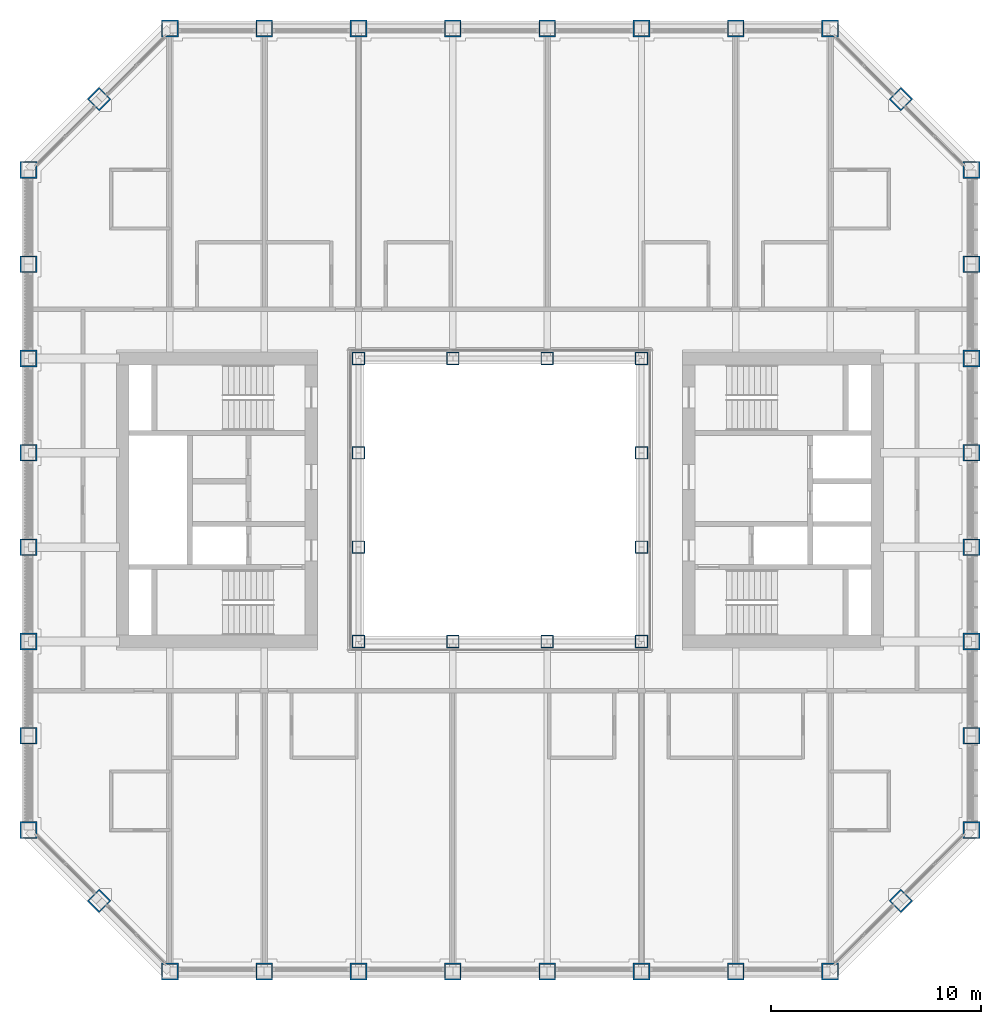
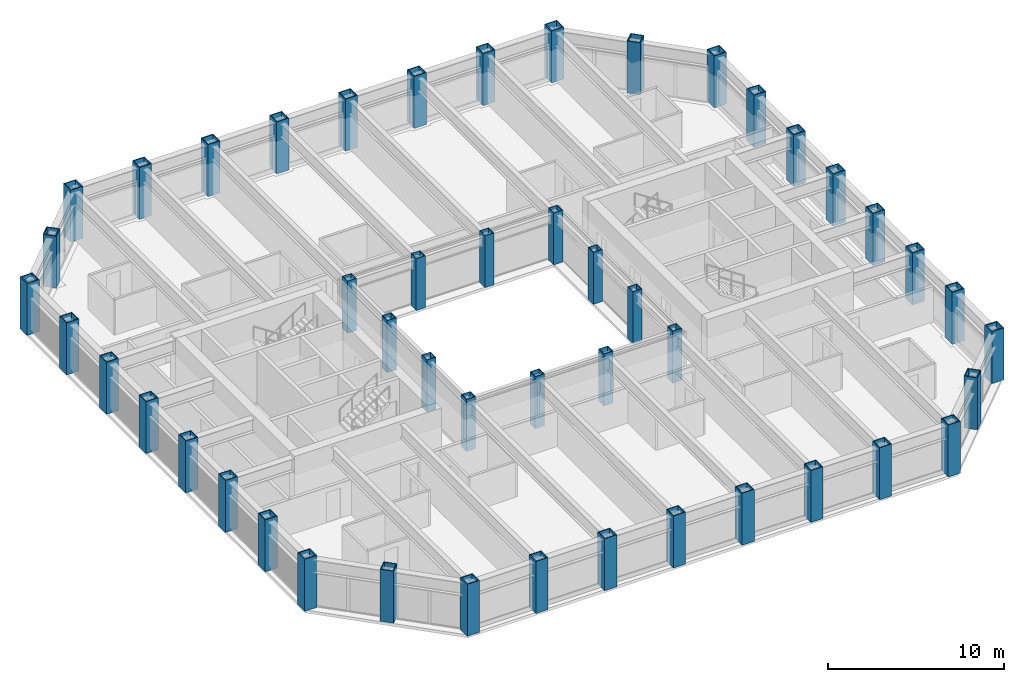
# One storey, part 1 of 17: 48 columns.
"""IFC4 building model written with IfcOpenShell, lengths in metres."""

from ifc_helpers import new_model, si_unit, direction, frame, origin, origin_2d, place, context, subcontext, project, spatial, hollow_rectangle, extrude, material, material_profile, profile_set, type_object, element, save


model = new_model("IFC4")

# Units and contexts
model_context = context("Model", 3, precision=1e-05, world=origin(), true_north=direction((0.0, 1.0)))
body_context = subcontext(model_context, "Body", "Model", "MODEL_VIEW")
ifc_project = project(units=[si_unit("LENGTHUNIT", "METRE"), si_unit("AREAUNIT", "SQUARE_METRE"), si_unit("VOLUMEUNIT", "CUBIC_METRE"), si_unit("PLANEANGLEUNIT", "RADIAN"), si_unit("MASSUNIT", "GRAM", prefix="KILO")], contexts=[model_context])

# Site, building, storey
site_placement = place(None, origin())
site = spatial("IfcSite", under=ifc_project, at=site_placement, CompositionType="ELEMENT")
building_placement = place(site_placement, origin())
building = spatial("IfcBuilding", under=site, at=building_placement, Name="Msasa Ring Tower", CompositionType="ELEMENT")
storey_placement = place(building_placement, frame((0.0, 0.0, 136.39990234375)))
storey = spatial("IfcBuildingStorey", under=building, at=storey_placement, Name="L35", CompositionType="ELEMENT", Elevation=136.39990234375)

# Columns
ifc_material_1 = material(Name="Steel S355", Category="steel")
ifc_material_profile_1 = material_profile(ifc_material_1, hollow_rectangle(XDim=0.60009765625, YDim=0.60009765625, WallThickness=0.0400390625, at=origin_2d()), Name="BOX 600x600x40")
ifc_profile_set_1 = profile_set([ifc_material_profile_1], Name="Steel S355")
column_type_1 = type_object("IfcColumnType", Name="IC4 BOX 600x600x40", PredefinedType="COLUMN", material=ifc_profile_set_1)
for number, where, z_axis, x_axis, name in (
    (1, (-6.75, -6.75, 0.0), (0.0, 0.0, 1.0), (1.0, 0.0, 0.0), "Inner ring column IR-6.75-6.75 L35"),
    (2, (-6.75, -2.25, 0.0), (0.0, 0.0, 1.0), (1.0, 0.0, 0.0), "Inner ring column IR-6.75-2.25 L35"),
    (3, (-6.75, 2.25, 0.0), (0.0, 0.0, 1.0), (1.0, 0.0, 0.0), "Inner ring column IR-6.75+2.25 L35"),
    (4, (-6.75, 6.75, 0.0), (0.0, 0.0, 1.0), (1.0, 0.0, 0.0), "Inner ring column IR-6.75+6.75 L35"),
    (5, (-2.25, -6.75, 0.0), (0.0, 0.0, 1.0), (1.0, 0.0, 0.0), "Inner ring column IR-2.25-6.75 L35"),
    (6, (-2.25, 6.75, 0.0), (0.0, 0.0, 1.0), (1.0, 0.0, 0.0), "Inner ring column IR-2.25+6.75 L35"),
    (7, (2.25, -6.75, 0.0), (0.0, 0.0, 1.0), (1.0, 0.0, 0.0), "Inner ring column IR+2.25-6.75 L35"),
    (8, (2.25, 6.75, 0.0), (0.0, 0.0, 1.0), (1.0, 0.0, 0.0), "Inner ring column IR+2.25+6.75 L35"),
    (9, (6.75, -6.75, 0.0), (0.0, 0.0, 1.0), (1.0, 0.0, 0.0), "Inner ring column IR+6.75-6.75 L35"),
    (10, (6.75, -2.25, 0.0), (0.0, 0.0, 1.0), (1.0, 0.0, 0.0), "Inner ring column IR+6.75-2.25 L35"),
    (11, (6.75, 2.25, 0.0), (0.0, 0.0, 1.0), (1.0, 0.0, 0.0), "Inner ring column IR+6.75+2.25 L35"),
    (12, (6.75, 6.75, 0.0), (0.0, 0.0, 1.0), (1.0, 0.0, 0.0), "Inner ring column IR+6.75+6.75 L35"),
):
    element("IfcColumn", number, at=place(storey_placement, frame(where, z_axis=z_axis, x_axis=x_axis)), inside=storey, type_object=column_type_1, Name=name, PredefinedType="COLUMN", context=body_context, shape_type="SweptSolid", body=[
        extrude(hollow_rectangle(XDim=0.60009765625, YDim=0.60009765625, WallThickness=0.0400390625, at=origin_2d()), origin(), (0.0, 0.0, 1.0), 3.60009765625),
    ])
ifc_material_2 = material(Name="Steel S355", Category="steel")
ifc_material_profile_2 = material_profile(ifc_material_2, hollow_rectangle(XDim=0.800048828125, YDim=0.800048828125, WallThickness=0.06005859375, at=origin_2d()), Name="BOX 800x800x60")
ifc_profile_set_2 = profile_set([ifc_material_profile_2], Name="Steel S355")
column_type_2 = type_object("IfcColumnType", Name="TC3 BOX 800x800x60", PredefinedType="COLUMN", material=ifc_profile_set_2)
for number, where, z_axis, x_axis, name in (
    (13, (-15.75, -22.5, 0.0), (0.0, 0.0, 1.0), (0.0, 1.0, 0.0), "Tube column S-15.75 L35"),
    (14, (-15.75, 22.5, 0.0), (0.0, 0.0, 1.0), (0.0, 1.0, 0.0), "Tube column N-15.75 L35"),
    (15, (22.5, -15.75, 0.0), (0.0, 0.0, 1.0), (1.0, 0.0, 0.0), "Tube column E-15.75 L35"),
    (16, (-22.5, -15.75, 0.0), (0.0, 0.0, 1.0), (1.0, 0.0, 0.0), "Tube column W-15.75 L35"),
    (17, (-11.25, -22.5, 0.0), (0.0, 0.0, 1.0), (0.0, 1.0, 0.0), "Tube column S-11.25 L35"),
    (18, (-11.25, 22.5, 0.0), (0.0, 0.0, 1.0), (0.0, 1.0, 0.0), "Tube column N-11.25 L35"),
    (19, (22.5, -11.25, 0.0), (0.0, 0.0, 1.0), (1.0, 0.0, 0.0), "Tube column E-11.25 L35"),
    (20, (-22.5, -11.25, 0.0), (0.0, 0.0, 1.0), (1.0, 0.0, 0.0), "Tube column W-11.25 L35"),
    (21, (-6.75, -22.5, 0.0), (0.0, 0.0, 1.0), (0.0, 1.0, 0.0), "Tube column S-6.75 L35"),
    (22, (-6.75, 22.5, 0.0), (0.0, 0.0, 1.0), (0.0, 1.0, 0.0), "Tube column N-6.75 L35"),
    (23, (22.5, -6.75, 0.0), (0.0, 0.0, 1.0), (1.0, 0.0, 0.0), "Tube column E-6.75 L35"),
    (24, (-22.5, -6.75, 0.0), (0.0, 0.0, 1.0), (1.0, 0.0, 0.0), "Tube column W-6.75 L35"),
    (25, (-2.25, -22.5, 0.0), (0.0, 0.0, 1.0), (0.0, 1.0, 0.0), "Tube column S-2.25 L35"),
    (26, (-2.25, 22.5, 0.0), (0.0, 0.0, 1.0), (0.0, 1.0, 0.0), "Tube column N-2.25 L35"),
    (27, (22.5, -2.25, 0.0), (0.0, 0.0, 1.0), (1.0, 0.0, 0.0), "Tube column E-2.25 L35"),
    (28, (-22.5, -2.25, 0.0), (0.0, 0.0, 1.0), (1.0, 0.0, 0.0), "Tube column W-2.25 L35"),
    (29, (2.25, -22.5, 0.0), (0.0, 0.0, 1.0), (0.0, 1.0, 0.0), "Tube column S+2.25 L35"),
    (30, (2.25, 22.5, 0.0), (0.0, 0.0, 1.0), (0.0, 1.0, 0.0), "Tube column N+2.25 L35"),
    (31, (22.5, 2.25, 0.0), (0.0, 0.0, 1.0), (1.0, 0.0, 0.0), "Tube column E+2.25 L35"),
    (32, (-22.5, 2.25, 0.0), (0.0, 0.0, 1.0), (1.0, 0.0, 0.0), "Tube column W+2.25 L35"),
    (33, (6.75, -22.5, 0.0), (0.0, 0.0, 1.0), (0.0, 1.0, 0.0), "Tube column S+6.75 L35"),
    (34, (6.75, 22.5, 0.0), (0.0, 0.0, 1.0), (0.0, 1.0, 0.0), "Tube column N+6.75 L35"),
    (35, (22.5, 6.75, 0.0), (0.0, 0.0, 1.0), (1.0, 0.0, 0.0), "Tube column E+6.75 L35"),
    (36, (-22.5, 6.75, 0.0), (0.0, 0.0, 1.0), (1.0, 0.0, 0.0), "Tube column W+6.75 L35"),
    (37, (11.25, -22.5, 0.0), (0.0, 0.0, 1.0), (0.0, 1.0, 0.0), "Tube column S+11.25 L35"),
    (38, (11.25, 22.5, 0.0), (0.0, 0.0, 1.0), (0.0, 1.0, 0.0), "Tube column N+11.25 L35"),
    (39, (22.5, 11.25, 0.0), (0.0, 0.0, 1.0), (1.0, 0.0, 0.0), "Tube column E+11.25 L35"),
    (40, (-22.5, 11.25, 0.0), (0.0, 0.0, 1.0), (1.0, 0.0, 0.0), "Tube column W+11.25 L35"),
    (41, (15.75, -22.5, 0.0), (0.0, 0.0, 1.0), (0.0, 1.0, 0.0), "Tube column S+15.75 L35"),
    (42, (15.75, 22.5, 0.0), (0.0, 0.0, 1.0), (0.0, 1.0, 0.0), "Tube column N+15.75 L35"),
    (43, (22.5, 15.75, 0.0), (0.0, 0.0, 1.0), (1.0, 0.0, 0.0), "Tube column E+15.75 L35"),
    (44, (-22.5, 15.75, 0.0), (0.0, 0.0, 1.0), (1.0, 0.0, 0.0), "Tube column W+15.75 L35"),
    (45, (19.125, -19.125, 0.0), (0.0, 0.0, 1.0), (0.707106781187, -0.707106781187, 0.0), "Tube column SE L35"),
    (46, (19.125, 19.125, 0.0), (0.0, 0.0, 1.0), (0.707106781187, 0.707106781187, 0.0), "Tube column NE L35"),
    (47, (-19.125, 19.125, 0.0), (0.0, 0.0, 1.0), (0.707106781187, -0.707106781187, 0.0), "Tube column NW L35"),
    (48, (-19.125, -19.125, 0.0), (0.0, 0.0, 1.0), (0.707106781187, 0.707106781187, 0.0), "Tube column SW L35"),
):
    element("IfcColumn", number, at=place(storey_placement, frame(where, z_axis=z_axis, x_axis=x_axis)), inside=storey, type_object=column_type_2, Name=name, PredefinedType="COLUMN", context=body_context, shape_type="SweptSolid", body=[
        extrude(hollow_rectangle(XDim=0.800048828125, YDim=0.800048828125, WallThickness=0.06005859375, at=origin_2d()), origin(), (0.0, 0.0, 1.0), 3.60009765625),
    ])

save(model, "model.ifc")
